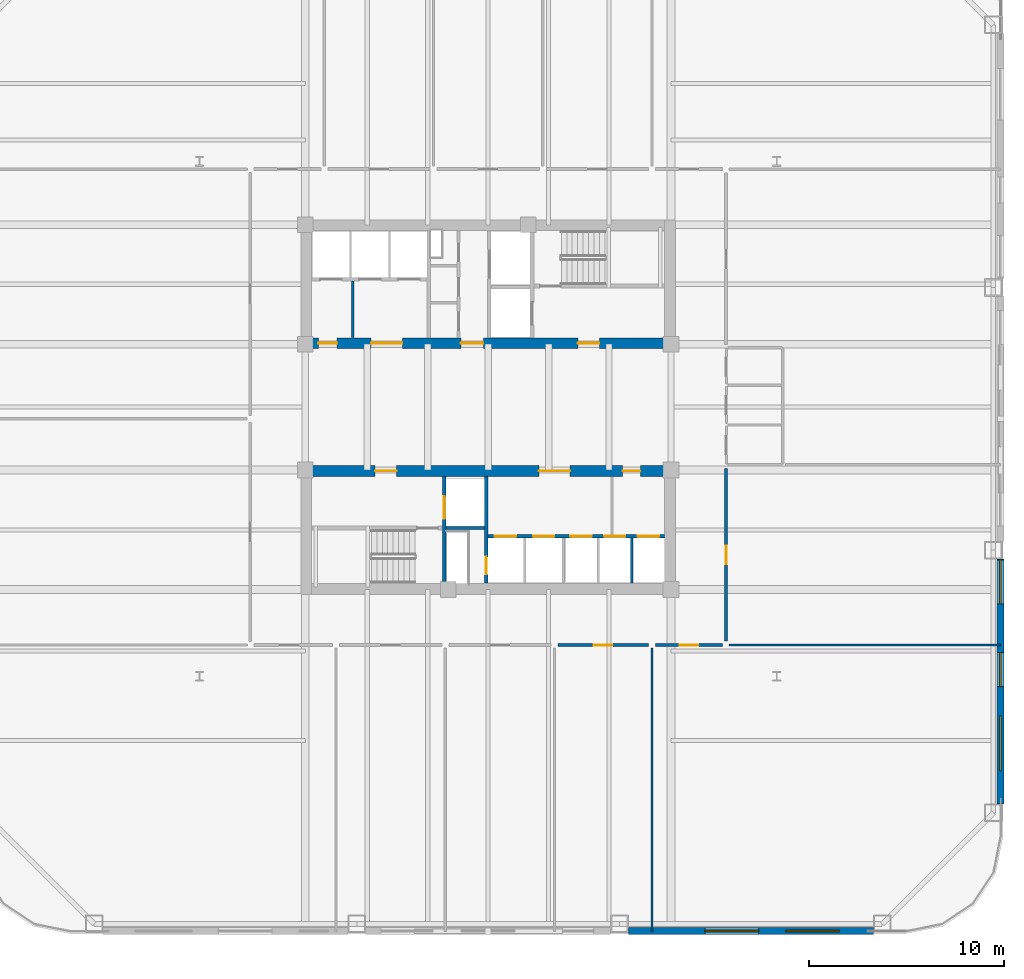
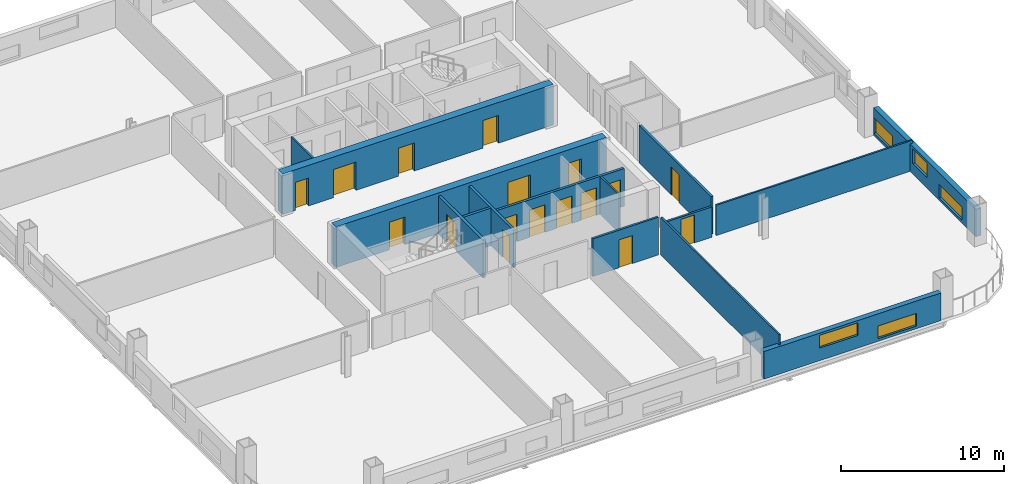
# One storey, part 3 of 12: 17 doors, 15 walls, 5 windows, 22 openings.
"""IFC4 building model written with IfcOpenShell, lengths in metres."""

from ifc_helpers import new_model, si_unit, direction, frame, frame_2d, origin, place, context, subcontext, project, spatial, rectangle, extrude, material, layer, layer_set, type_object, element, fill, save


model = new_model("IFC4")

# Units and contexts
model_context = context("Model", 3, precision=1e-05, world=origin(), true_north=direction((0.0, 1.0)))
body_context = subcontext(model_context, "Body", "Model", "MODEL_VIEW")
ifc_project = project(units=[si_unit("LENGTHUNIT", "METRE"), si_unit("AREAUNIT", "SQUARE_METRE"), si_unit("VOLUMEUNIT", "CUBIC_METRE"), si_unit("PLANEANGLEUNIT", "RADIAN"), si_unit("MASSUNIT", "GRAM", prefix="KILO")], contexts=[model_context])

# Site, building, storey
site_placement = place(None, origin())
site = spatial("IfcSite", under=ifc_project, at=site_placement, CompositionType="ELEMENT")
building_placement = place(site_placement, origin())
building = spatial("IfcBuilding", under=site, at=building_placement, Name="Qhalaya Broadcast Tower", CompositionType="ELEMENT")
storey_placement = place(building_placement, frame((0.0, 0.0, 35.25)))
storey = spatial("IfcBuildingStorey", under=building, at=storey_placement, Name="L09", CompositionType="ELEMENT", Elevation=35.25)

# Wall, opening, door
ifc_material_1 = material(Name="Gypsum Acoustic Partition")
ifc_layer_1 = layer(ifc_material_1, 0.14990234375, Name="Gypsum Acoustic Partition")
ifc_layer_set_1 = layer_set([ifc_layer_1], Name="Gypsum Acoustic Partition")
wall_type_1 = type_object("IfcWallType", Name="Corridor & Tenancy Acoustic Partition 150", PredefinedType="PARTITIONING", material=ifc_layer_set_1)
wall_1_placement = place(storey_placement, frame((3.580078125, -11.60009765625, 0.0), z_axis=(0.0, 0.0, 1.0), x_axis=(1.0, 0.0, 0.0)))
wall_1 = element("IfcWall", 1, at=wall_1_placement, inside=storey, type_object=wall_type_1, Name="L09 Partition Wall W-COR-09", PredefinedType="PARTITIONING", context=body_context, shape_type="SweptSolid", body=[
    extrude(rectangle(XDim=4.639892578125, YDim=0.14990234375, at=frame_2d((2.31982421875, 0.0))), origin(), (0.0, 0.0, 1.0), 2.830078125),
])
opening_1_placement = place(wall_1_placement, frame((1.844970703125, 0.0, 0.0)))
opening_1 = element("IfcOpeningElement", 2, at=opening_1_placement, cuts=wall_1, Name="Opening D10", PredefinedType="OPENING", context=body_context, shape_type="SweptSolid", body=[
    extrude(rectangle(XDim=0.949951171875, YDim=2.10009765625, at=frame_2d((0.47509765625, 1.050048828125))), frame((0.0, 0.0869140625, 0.0), z_axis=(0.0, -1.0, 0.0), x_axis=(1.0, 0.0, 0.0)), (0.0, 0.0, 1.0), 0.173828125),
])
ifc_material_2 = material(Name="Timber Veneer Acoustic Door", Category="wood")
door_type_1 = type_object("IfcDoorType", Name="Cellular Office & Edit Booth Door D10", OperationType="NOTDEFINED", PredefinedType="DOOR", material=ifc_material_2)
door_1_placement = place(opening_1_placement, origin())
door_1 = element("IfcDoor", 3, at=door_1_placement, inside=storey, type_object=door_type_1, Name="L09 Door D-RM09", OperationType="SINGLE_SWING_LEFT", OverallHeight=2.10009765625, OverallWidth=0.949951171875, PredefinedType="DOOR", context=body_context, shape_type="SweptSolid", body=[
    extrude(rectangle(XDim=0.949951171875, YDim=2.10009765625, at=frame_2d((0.47509765625, 1.050048828125))), frame((0.0, 0.02490234375, 0.0), z_axis=(0.0, -1.0, 0.0), x_axis=(1.0, 0.0, 0.0)), (0.0, 0.0, 1.0), 0.050048828125),
])
fill(opening_1, door_1)

wall_2_placement = place(storey_placement, frame((8.580078125, -11.60009765625, 0.0), z_axis=(0.0, 0.0, 1.0), x_axis=(1.0, 0.0, 0.0)))
wall_2 = element("IfcWall", 4, at=wall_2_placement, inside=storey, type_object=wall_type_1, Name="L09 Partition Wall W-COR-10", PredefinedType="PARTITIONING", context=body_context, shape_type="SweptSolid", body=[
    extrude(rectangle(XDim=3.43994140625, YDim=0.14990234375, at=frame_2d((1.719970703125, 0.0))), origin(), (0.0, 0.0, 1.0), 2.27392578125),
])
opening_2_placement = place(wall_2_placement, frame((1.2451171875, 0.0, 0.0)))
opening_2 = element("IfcOpeningElement", 5, at=opening_2_placement, cuts=wall_2, Name="Opening D10", PredefinedType="OPENING", context=body_context, shape_type="SweptSolid", body=[
    extrude(rectangle(XDim=0.949951171875, YDim=2.10009765625, at=frame_2d((0.47509765625, 1.050048828125))), frame((0.0, 0.0869140625, 0.0), z_axis=(0.0, -1.0, 0.0), x_axis=(1.0, 0.0, 0.0)), (0.0, 0.0, 1.0), 0.173828125),
])
door_2_placement = place(opening_2_placement, origin())
door_2 = element("IfcDoor", 6, at=door_2_placement, inside=storey, type_object=door_type_1, Name="L09 Door D-RM10", OperationType="SINGLE_SWING_RIGHT", OverallHeight=2.10009765625, OverallWidth=0.949951171875, PredefinedType="DOOR", context=body_context, shape_type="SweptSolid", body=[
    extrude(rectangle(XDim=0.949951171875, YDim=2.10009765625, at=frame_2d((0.47509765625, 1.050048828125))), frame((0.0, 0.02490234375, 0.0), z_axis=(0.0, -1.0, 0.0), x_axis=(1.0, 0.0, 0.0)), (0.0, 0.0, 1.0), 0.050048828125),
])
fill(opening_2, door_2)

wall_3_placement = place(storey_placement, frame((12.199951171875, -11.39990234375, 0.0), z_axis=(0.0, 0.0, 1.0), x_axis=(0.0, 1.0, 0.0)))
wall_3 = element("IfcWall", 7, at=wall_3_placement, inside=storey, type_object=wall_type_1, Name="L09 Partition Wall W-COR-13", PredefinedType="PARTITIONING", context=body_context, shape_type="SweptSolid", body=[
    extrude(rectangle(XDim=8.83984375, YDim=0.14990234375, at=frame_2d((4.419921875, 0.0))), origin(), (0.0, 0.0, 1.0), 2.830078125),
])
opening_3_placement = place(wall_3_placement, frame((3.945068359375, 0.0, 0.0)))
opening_3 = element("IfcOpeningElement", 8, at=opening_3_placement, cuts=wall_3, Name="Opening D10", PredefinedType="OPENING", context=body_context, shape_type="SweptSolid", body=[
    extrude(rectangle(XDim=0.949951171875, YDim=2.10009765625, at=frame_2d((0.47509765625, 1.050048828125))), frame((0.0, 0.0869140625, 0.0), z_axis=(0.0, -1.0, 0.0), x_axis=(1.0, 0.0, 0.0)), (0.0, 0.0, 1.0), 0.173828125),
])
door_3_placement = place(opening_3_placement, origin())
door_3 = element("IfcDoor", 9, at=door_3_placement, inside=storey, type_object=door_type_1, Name="L09 Door D-RM13", OperationType="SINGLE_SWING_LEFT", OverallHeight=2.10009765625, OverallWidth=0.949951171875, PredefinedType="DOOR", context=body_context, shape_type="SweptSolid", body=[
    extrude(rectangle(XDim=0.949951171875, YDim=2.10009765625, at=frame_2d((0.47509765625, 1.050048828125))), frame((0.0, 0.02490234375, 0.0), z_axis=(0.0, -1.0, 0.0), x_axis=(1.0, 0.0, 0.0)), (0.0, 0.0, 1.0), 0.050048828125),
])
fill(opening_3, door_3)

# Wall, openings, windows
ifc_material_3 = material(Name="Precast Concrete C40/50", Category="concrete")
ifc_layer_2 = layer(ifc_material_3, 0.360107421875, Name="Precast Concrete C40/50")
ifc_layer_set_2 = layer_set([ifc_layer_2], Name="Precast Concrete C40/50")
wall_type_2 = type_object("IfcWallType", Name="Insulated Precast Terracotta Exterior Wall 360", PredefinedType="SOLIDWALL", material=ifc_layer_set_2)
wall_4_placement = place(storey_placement, frame((19.761962890625, -26.260009765625, 0.0), z_axis=(0.0, 0.0, 1.0), x_axis=(-1.0, 0.0, 0.0)))
wall_4 = element("IfcWall", 10, at=wall_4_placement, inside=storey, type_object=wall_type_2, Name="L09 Exoskeleton Diagrid Infill Wall S1", PredefinedType="SOLIDWALL", context=body_context, shape_type="SweptSolid", body=[
    extrude(rectangle(XDim=12.57861328125, YDim=0.360107421875, at=frame_2d((6.289306640625, 0.0))), origin(), (0.0, 0.0, 1.0), 2.06689453125),
])
opening_4_placement = place(wall_4_placement, frame((1.75, 0.0, 0.199951171875)))
opening_4 = element("IfcOpeningElement", 11, at=opening_4_placement, cuts=wall_4, Name="Opening W11", PredefinedType="OPENING", context=body_context, shape_type="SweptSolid", body=[
    extrude(rectangle(XDim=2.75, YDim=0.949951171875, at=frame_2d((1.375, 0.47509765625))), frame((0.0, 0.192138671875, 0.0), z_axis=(0.0, -1.0, 0.0), x_axis=(1.0, 0.0, 0.0)), (0.0, 0.0, 1.0), 0.384033203125),
])
opening_5_placement = place(wall_4_placement, frame((5.89990234375, 0.0, 0.949951171875)))
opening_5 = element("IfcOpeningElement", 12, at=opening_5_placement, cuts=wall_4, Name="Opening W11", PredefinedType="OPENING", context=body_context, shape_type="SweptSolid", body=[
    extrude(rectangle(XDim=2.75, YDim=0.949951171875, at=frame_2d((1.375, 0.47509765625))), frame((0.0, 0.192138671875, 0.0), z_axis=(0.0, -1.0, 0.0), x_axis=(1.0, 0.0, 0.0)), (0.0, 0.0, 1.0), 0.384033203125),
])
ifc_material_4 = material(Name="Solar-Control Low-E Triple Glazing", Category="glass")
window_type = type_object("IfcWindowType", Name="Odd-Block Diagrid Infill Window W11", PartitioningType="SINGLE_PANEL", PredefinedType="WINDOW", material=ifc_material_4)
window_1_placement = place(opening_4_placement, origin())
window_1 = element("IfcWindow", 13, at=window_1_placement, inside=storey, type_object=window_type, Name="L09 Diagrid Infill Window W11-S1", OverallHeight=0.949951171875, OverallWidth=2.75, PartitioningType="SINGLE_PANEL", PredefinedType="WINDOW", context=body_context, shape_type="SweptSolid", body=[
    extrude(rectangle(XDim=2.75, YDim=0.949951171875, at=frame_2d((1.375, 0.47509765625))), frame((0.0, 0.030029296875, 0.0), z_axis=(0.0, -1.0, 0.0), x_axis=(1.0, 0.0, 0.0)), (0.0, 0.0, 1.0), 0.06005859375),
])
fill(opening_4, window_1)
window_2_placement = place(opening_5_placement, origin())
window_2 = element("IfcWindow", 14, at=window_2_placement, inside=storey, type_object=window_type, Name="L09 Diagrid Infill Window W11-S2", OverallHeight=0.949951171875, OverallWidth=2.75, PartitioningType="SINGLE_PANEL", PredefinedType="WINDOW", context=body_context, shape_type="SweptSolid", body=[
    extrude(rectangle(XDim=2.75, YDim=0.949951171875, at=frame_2d((1.375, 0.47509765625))), frame((0.0, 0.030029296875, 0.0), z_axis=(0.0, -1.0, 0.0), x_axis=(1.0, 0.0, 0.0)), (0.0, 0.0, 1.0), 0.06005859375),
])
fill(opening_5, window_2)

wall_5_placement = place(storey_placement, frame((26.260009765625, -7.183349609375, 0.0), z_axis=(0.0, 0.0, 1.0), x_axis=(0.0, -1.0, 0.0)))
wall_5 = element("IfcWall", 15, at=wall_5_placement, inside=storey, type_object=wall_type_2, Name="L09 Exoskeleton Diagrid Infill Wall E3", PredefinedType="SOLIDWALL", context=body_context, shape_type="SweptSolid", body=[
    extrude(rectangle(XDim=12.57861328125, YDim=0.360107421875, at=frame_2d((6.289306640625, 0.0))), origin(), (0.0, 0.0, 1.0), 2.06689453125),
])
opening_6_placement = place(wall_5_placement, frame((0.054931640625, 0.0, 0.199951171875)))
opening_6 = element("IfcOpeningElement", 16, at=opening_6_placement, cuts=wall_5, Name="Opening W11", PredefinedType="OPENING", context=body_context, shape_type="SweptSolid", body=[
    extrude(rectangle(XDim=2.25, YDim=1.14990234375, at=frame_2d((1.125, 0.574951171875))), frame((0.0, 0.192138671875, 0.0), z_axis=(0.0, -1.0, 0.0), x_axis=(1.0, 0.0, 0.0)), (0.0, 0.0, 1.0), 0.384033203125),
])
opening_7_placement = place(wall_5_placement, frame((4.804931640625, 0.0, 0.800048828125)))
opening_7 = element("IfcOpeningElement", 17, at=opening_7_placement, cuts=wall_5, Name="Opening W11", PredefinedType="OPENING", context=body_context, shape_type="SweptSolid", body=[
    extrude(rectangle(XDim=1.75, YDim=1.10009765625, at=frame_2d((0.875, 0.550048828125))), frame((0.0, 0.192138671875, 0.0), z_axis=(0.0, -1.0, 0.0), x_axis=(1.0, 0.0, 0.0)), (0.0, 0.0, 1.0), 0.384033203125),
])
opening_8_placement = place(wall_5_placement, frame((8.054931640625, 0.0, 0.199951171875)))
opening_8 = element("IfcOpeningElement", 18, at=opening_8_placement, cuts=wall_5, Name="Opening W11", PredefinedType="OPENING", context=body_context, shape_type="SweptSolid", body=[
    extrude(rectangle(XDim=2.800048828125, YDim=1.0, at=frame_2d((1.39990234375, 0.5))), frame((0.0, 0.192138671875, 0.0), z_axis=(0.0, -1.0, 0.0), x_axis=(1.0, 0.0, 0.0)), (0.0, 0.0, 1.0), 0.384033203125),
])
window_3_placement = place(opening_6_placement, origin())
window_3 = element("IfcWindow", 19, at=window_3_placement, inside=storey, type_object=window_type, Name="L09 Diagrid Infill Window W11-E7", OverallHeight=1.14990234375, OverallWidth=2.25, PartitioningType="SINGLE_PANEL", PredefinedType="WINDOW", context=body_context, shape_type="SweptSolid", body=[
    extrude(rectangle(XDim=2.25, YDim=1.14990234375, at=frame_2d((1.125, 0.574951171875))), frame((0.0, 0.030029296875, 0.0), z_axis=(0.0, -1.0, 0.0), x_axis=(1.0, 0.0, 0.0)), (0.0, 0.0, 1.0), 0.06005859375),
])
fill(opening_6, window_3)
window_4_placement = place(opening_7_placement, origin())
window_4 = element("IfcWindow", 20, at=window_4_placement, inside=storey, type_object=window_type, Name="L09 Diagrid Infill Window W11-E8", OverallHeight=1.10009765625, OverallWidth=1.75, PartitioningType="SINGLE_PANEL", PredefinedType="WINDOW", context=body_context, shape_type="SweptSolid", body=[
    extrude(rectangle(XDim=1.75, YDim=1.10009765625, at=frame_2d((0.875, 0.550048828125))), frame((0.0, 0.030029296875, 0.0), z_axis=(0.0, -1.0, 0.0), x_axis=(1.0, 0.0, 0.0)), (0.0, 0.0, 1.0), 0.06005859375),
])
fill(opening_7, window_4)
window_5_placement = place(opening_8_placement, origin())
window_5 = element("IfcWindow", 21, at=window_5_placement, inside=storey, type_object=window_type, Name="L09 Diagrid Infill Window W11-E9", OverallHeight=1.0, OverallWidth=2.800048828125, PartitioningType="SINGLE_PANEL", PredefinedType="WINDOW", context=body_context, shape_type="SweptSolid", body=[
    extrude(rectangle(XDim=2.800048828125, YDim=1.0, at=frame_2d((1.39990234375, 0.5))), frame((0.0, 0.030029296875, 0.0), z_axis=(0.0, -1.0, 0.0), x_axis=(1.0, 0.0, 0.0)), (0.0, 0.0, 1.0), 0.06005859375),
])
fill(opening_8, window_5)

# Wall, opening, door
ifc_material_5 = material(Name="Concrete C50/60", Category="concrete")
ifc_layer_3 = layer(ifc_material_5, 0.199951171875, Name="Concrete C50/60")
ifc_layer_set_3 = layer_set([ifc_layer_3], Name="Concrete C50/60")
wall_type_3 = type_object("IfcWallType", Name="Load-Bearing Stair Shaft Wall 200", PredefinedType="SHEAR", material=ifc_layer_set_3)
wall_6_placement = place(storey_placement, frame((-2.25, -8.429931640625, 0.0), z_axis=(0.0, 0.0, 1.0), x_axis=(0.0, 1.0, 0.0)))
wall_6 = element("IfcWall", 22, at=wall_6_placement, inside=storey, type_object=wall_type_3, Name="L09 Stair Core Shear Wall SCW-FF", PredefinedType="SHEAR", context=body_context, shape_type="SweptSolid", body=[
    extrude(rectangle(XDim=5.4599609375, YDim=0.199951171875, at=frame_2d((2.72998046875, 0.0))), origin(), (0.0, 0.0, 1.0), 2.830078125),
])
opening_9_placement = place(wall_6_placement, frame((3.300048828125, 0.0, 0.0)))
opening_9 = element("IfcOpeningElement", 23, at=opening_9_placement, cuts=wall_6, Name="Opening LD2", PredefinedType="OPENING", context=body_context, shape_type="SweptSolid", body=[
    extrude(rectangle(XDim=1.14990234375, YDim=2.080078125, at=frame_2d((0.574951171875, 1.0400390625))), frame((0.0, 0.112060546875, 0.0), z_axis=(0.0, -1.0, 0.0), x_axis=(1.0, 0.0, 0.0)), (0.0, 0.0, 1.0), 0.223876953125),
])
ifc_material_6 = material(Name="Brushed Stainless Steel Lift Door", Category="steel")
door_type_2 = type_object("IfcDoorType", Name="Firefighting Lift Sliding Landing Door LD2", OperationType="DOUBLE_DOOR_SLIDING", PredefinedType="DOOR", material=ifc_material_6)
door_4_placement = place(opening_9_placement, origin())
door_4 = element("IfcDoor", 24, at=door_4_placement, inside=storey, type_object=door_type_2, Name="L09 Door LD-FF2", OperationType="DOUBLE_DOOR_SLIDING", OverallHeight=2.080078125, OverallWidth=1.14990234375, PredefinedType="DOOR", context=body_context, shape_type="SweptSolid", body=[
    extrude(rectangle(XDim=1.14990234375, YDim=2.080078125, at=frame_2d((0.574951171875, 1.0400390625))), frame((0.0, 0.02490234375, 0.0), z_axis=(0.0, -1.0, 0.0), x_axis=(1.0, 0.0, 0.0)), (0.0, 0.0, 1.0), 0.050048828125),
])
fill(opening_9, door_4)

# Wall, openings, doors
ifc_material_7 = material(Name="Concrete C60/75", Category="concrete")
ifc_layer_4 = layer(ifc_material_7, 0.550048828125, Name="Concrete C60/75")
ifc_layer_set_4 = layer_set([ifc_layer_4], Name="Concrete C60/75")
wall_type_4 = type_object("IfcWallType", Name="Lower Split-Core Shear Wall 550", PredefinedType="SHEAR", material=ifc_layer_set_4)
wall_7_placement = place(storey_placement, frame((-9.60009765625, 3.875, 0.0), z_axis=(0.0, 0.0, 1.0), x_axis=(1.0, 0.0, 0.0)))
wall_7 = element("IfcWall", 25, at=wall_7_placement, inside=storey, type_object=wall_type_4, Name="L09 Split-Core Shear Wall CW-NS", PredefinedType="SHEAR", context=body_context, shape_type="SweptSolid", body=[
    extrude(rectangle(XDim=19.2001953125, YDim=0.550048828125, at=frame_2d((9.60009765625, 0.0))), origin(), (0.0, 0.0, 1.0), 3.050048828125),
])
opening_10_placement = place(wall_7_placement, frame((14.199951171875, 0.0, 0.0)))
opening_10 = element("IfcOpeningElement", 26, at=opening_10_placement, cuts=wall_7, Name="Opening D04", PredefinedType="OPENING", context=body_context, shape_type="SweptSolid", body=[
    extrude(rectangle(XDim=1.10009765625, YDim=2.080078125, at=frame_2d((0.550048828125, 1.0400390625))), frame((0.0, 0.287109375, 0.0), z_axis=(0.0, -1.0, 0.0), x_axis=(1.0, 0.0, 0.0)), (0.0, 0.0, 1.0), 0.573974609375),
])
opening_11_placement = place(wall_7_placement, frame((8.199951171875, 0.0, 0.0)))
opening_11 = element("IfcOpeningElement", 27, at=opening_11_placement, cuts=wall_7, Name="Opening D05", PredefinedType="OPENING", context=body_context, shape_type="SweptSolid", body=[
    extrude(rectangle(XDim=1.14990234375, YDim=2.10009765625, at=frame_2d((0.574951171875, 1.050048828125))), frame((0.0, 0.287109375, 0.0), z_axis=(0.0, -1.0, 0.0), x_axis=(1.0, 0.0, 0.0)), (0.0, 0.0, 1.0), 0.573974609375),
])
opening_12_placement = place(wall_7_placement, frame((0.89990234375, 0.0, 0.0)))
opening_12 = element("IfcOpeningElement", 28, at=opening_12_placement, cuts=wall_7, Name="Opening D10", PredefinedType="OPENING", context=body_context, shape_type="SweptSolid", body=[
    extrude(rectangle(XDim=0.949951171875, YDim=2.10009765625, at=frame_2d((0.47509765625, 1.050048828125))), frame((0.0, 0.287109375, 0.0), z_axis=(0.0, -1.0, 0.0), x_axis=(1.0, 0.0, 0.0)), (0.0, 0.0, 1.0), 0.573974609375),
])
opening_13_placement = place(wall_7_placement, frame((3.60009765625, 0.0, 0.0)))
opening_13 = element("IfcOpeningElement", 29, at=opening_13_placement, cuts=wall_7, Name="Opening D07", PredefinedType="OPENING", context=body_context, shape_type="SweptSolid", body=[
    extrude(rectangle(XDim=1.60009765625, YDim=2.1201171875, at=frame_2d((0.800048828125, 1.06005859375))), frame((0.0, 0.287109375, 0.0), z_axis=(0.0, -1.0, 0.0), x_axis=(1.0, 0.0, 0.0)), (0.0, 0.0, 1.0), 0.573974609375),
])
door_5_placement = place(opening_12_placement, origin())
door_5 = element("IfcDoor", 30, at=door_5_placement, inside=storey, type_object=door_type_1, Name="L09 Door D-NLPNT", OperationType="SINGLE_SWING_RIGHT", OverallHeight=2.10009765625, OverallWidth=0.949951171875, PredefinedType="DOOR", context=body_context, shape_type="SweptSolid", body=[
    extrude(rectangle(XDim=0.949951171875, YDim=2.10009765625, at=frame_2d((0.47509765625, 1.050048828125))), frame((0.0, 0.02490234375, 0.0), z_axis=(0.0, -1.0, 0.0), x_axis=(1.0, 0.0, 0.0)), (0.0, 0.0, 1.0), 0.050048828125),
])
fill(opening_12, door_5)
ifc_material_8 = material(Name="Fire-Rated Steel Door", Category="steel")
door_type_3 = type_object("IfcDoorType", Name="Firefighting Lobby Rated Door D04", OperationType="NOTDEFINED", PredefinedType="DOOR", material=ifc_material_8)
door_6_placement = place(opening_10_placement, origin())
door_6 = element("IfcDoor", 31, at=door_6_placement, inside=storey, type_object=door_type_3, Name="L09 Door D-NFF", OperationType="SINGLE_SWING_RIGHT", OverallHeight=2.080078125, OverallWidth=1.10009765625, PredefinedType="DOOR", context=body_context, shape_type="SweptSolid", body=[
    extrude(rectangle(XDim=1.10009765625, YDim=2.080078125, at=frame_2d((0.550048828125, 1.0400390625))), frame((0.0, 0.02490234375, 0.0), z_axis=(0.0, -1.0, 0.0), x_axis=(1.0, 0.0, 0.0)), (0.0, 0.0, 1.0), 0.050048828125),
])
fill(opening_10, door_6)
ifc_material_9 = material(Name="Anodised Aluminium Glazed Door", Category="aluminium")
door_type_4 = type_object("IfcDoorType", Name="Passenger Lift Lobby Double Glazed Door D07", OperationType="DOUBLE_DOOR_SINGLE_SWING", PredefinedType="DOOR", material=ifc_material_9)
door_7_placement = place(opening_13_placement, origin())
door_7 = element("IfcDoor", 32, at=door_7_placement, inside=storey, type_object=door_type_4, Name="L09 Door D-NPLL", OperationType="DOUBLE_DOOR_SINGLE_SWING", OverallHeight=2.1201171875, OverallWidth=1.60009765625, PredefinedType="DOOR", context=body_context, shape_type="SweptSolid", body=[
    extrude(rectangle(XDim=1.60009765625, YDim=2.1201171875, at=frame_2d((0.800048828125, 1.06005859375))), frame((0.0, 0.02490234375, 0.0), z_axis=(0.0, -1.0, 0.0), x_axis=(1.0, 0.0, 0.0)), (0.0, 0.0, 1.0), 0.050048828125),
])
fill(opening_13, door_7)
door_type_5 = type_object("IfcDoorType", Name="Refuge & Plant Room Fire Door D05", OperationType="NOTDEFINED", PredefinedType="DOOR", material=ifc_material_8)
door_8_placement = place(opening_11_placement, origin())
door_8 = element("IfcDoor", 33, at=door_8_placement, inside=storey, type_object=door_type_5, Name="L09 Door D-NSVL", OperationType="SINGLE_SWING_LEFT", OverallHeight=2.10009765625, OverallWidth=1.14990234375, PredefinedType="DOOR", context=body_context, shape_type="SweptSolid", body=[
    extrude(rectangle(XDim=1.14990234375, YDim=2.10009765625, at=frame_2d((0.574951171875, 1.050048828125))), frame((0.0, 0.02490234375, 0.0), z_axis=(0.0, -1.0, 0.0), x_axis=(1.0, 0.0, 0.0)), (0.0, 0.0, 1.0), 0.050048828125),
])
fill(opening_11, door_8)

wall_8_placement = place(storey_placement, frame((-9.60009765625, -2.675048828125, 0.0), z_axis=(0.0, 0.0, 1.0), x_axis=(1.0, 0.0, 0.0)))
wall_8 = element("IfcWall", 34, at=wall_8_placement, inside=storey, type_object=wall_type_4, Name="L09 Split-Core Shear Wall CW-SN", PredefinedType="SHEAR", context=body_context, shape_type="SweptSolid", body=[
    extrude(rectangle(XDim=19.2001953125, YDim=0.550048828125, at=frame_2d((9.60009765625, 0.0))), origin(), (0.0, 0.0, 1.0), 3.050048828125),
])
opening_14_placement = place(wall_8_placement, frame((3.800048828125, 0.0, 0.0)))
opening_14 = element("IfcOpeningElement", 35, at=opening_14_placement, cuts=wall_8, Name="Opening D04", PredefinedType="OPENING", context=body_context, shape_type="SweptSolid", body=[
    extrude(rectangle(XDim=1.10009765625, YDim=2.080078125, at=frame_2d((0.550048828125, 1.0400390625))), frame((0.0, 0.287109375, 0.0), z_axis=(0.0, -1.0, 0.0), x_axis=(1.0, 0.0, 0.0)), (0.0, 0.0, 1.0), 0.573974609375),
])
opening_15_placement = place(wall_8_placement, frame((12.199951171875, 0.0, 0.0)))
opening_15 = element("IfcOpeningElement", 36, at=opening_15_placement, cuts=wall_8, Name="Opening D07", PredefinedType="OPENING", context=body_context, shape_type="SweptSolid", body=[
    extrude(rectangle(XDim=1.60009765625, YDim=2.1201171875, at=frame_2d((0.800048828125, 1.06005859375))), frame((0.0, 0.287109375, 0.0), z_axis=(0.0, -1.0, 0.0), x_axis=(1.0, 0.0, 0.0)), (0.0, 0.0, 1.0), 0.573974609375),
])
opening_16_placement = place(wall_8_placement, frame((16.5, 0.0, 0.0)))
opening_16 = element("IfcOpeningElement", 37, at=opening_16_placement, cuts=wall_8, Name="Opening D06", PredefinedType="OPENING", context=body_context, shape_type="SweptSolid", body=[
    extrude(rectangle(XDim=0.89990234375, YDim=2.050048828125, at=frame_2d((0.449951171875, 1.02490234375))), frame((0.0, 0.287109375, 0.0), z_axis=(0.0, -1.0, 0.0), x_axis=(1.0, 0.0, 0.0)), (0.0, 0.0, 1.0), 0.573974609375),
])
door_9_placement = place(opening_14_placement, origin())
door_9 = element("IfcDoor", 38, at=door_9_placement, inside=storey, type_object=door_type_3, Name="L09 Door D-SFF", OperationType="SINGLE_SWING_LEFT", OverallHeight=2.080078125, OverallWidth=1.10009765625, PredefinedType="DOOR", context=body_context, shape_type="SweptSolid", body=[
    extrude(rectangle(XDim=1.10009765625, YDim=2.080078125, at=frame_2d((0.550048828125, 1.0400390625))), frame((0.0, 0.02490234375, 0.0), z_axis=(0.0, -1.0, 0.0), x_axis=(1.0, 0.0, 0.0)), (0.0, 0.0, 1.0), 0.050048828125),
])
fill(opening_14, door_9)
door_10_placement = place(opening_15_placement, origin())
door_10 = element("IfcDoor", 39, at=door_10_placement, inside=storey, type_object=door_type_4, Name="L09 Door D-SPLL", OperationType="DOUBLE_DOOR_SINGLE_SWING", OverallHeight=2.1201171875, OverallWidth=1.60009765625, PredefinedType="DOOR", context=body_context, shape_type="SweptSolid", body=[
    extrude(rectangle(XDim=1.60009765625, YDim=2.1201171875, at=frame_2d((0.800048828125, 1.06005859375))), frame((0.0, 0.02490234375, 0.0), z_axis=(0.0, -1.0, 0.0), x_axis=(1.0, 0.0, 0.0)), (0.0, 0.0, 1.0), 0.050048828125),
])
fill(opening_15, door_10)
door_type_6 = type_object("IfcDoorType", Name="Riser & Electrical Shaft Access Door D06", OperationType="NOTDEFINED", PredefinedType="DOOR", material=ifc_material_8)
door_11_placement = place(opening_16_placement, origin())
door_11 = element("IfcDoor", 40, at=door_11_placement, inside=storey, type_object=door_type_6, Name="L09 Door D-SSCST", OperationType="SINGLE_SWING_LEFT", OverallHeight=2.050048828125, OverallWidth=0.89990234375, PredefinedType="DOOR", context=body_context, shape_type="SweptSolid", body=[
    extrude(rectangle(XDim=0.89990234375, YDim=2.050048828125, at=frame_2d((0.449951171875, 1.02490234375))), frame((0.0, 0.02490234375, 0.0), z_axis=(0.0, -1.0, 0.0), x_axis=(1.0, 0.0, 0.0)), (0.0, 0.0, 1.0), 0.050048828125),
])
fill(opening_16, door_11)

# Walls
ifc_layer_5 = layer(ifc_material_1, 0.1201171875, Name="Gypsum Acoustic Partition")
ifc_layer_set_5 = layer_set([ifc_layer_5], Name="Gypsum Acoustic Partition")
wall_type_5 = type_object("IfcWallType", Name="Office, Booth & Sanitary Partition 120", PredefinedType="PARTITIONING", material=ifc_layer_set_5)
wall_9_placement = place(storey_placement, frame((-6.949951171875, 4.169921875, 0.0), z_axis=(0.0, 0.0, 1.0), x_axis=(0.0, 1.0, 0.0)))
element("IfcWall", 41, at=wall_9_placement, inside=storey, type_object=wall_type_5, Name="L09 Partition Wall NCW-LKB", PredefinedType="PARTITIONING", context=body_context, shape_type="SweptSolid", body=[
    extrude(rectangle(XDim=2.89013671875, YDim=0.1201171875, at=frame_2d((1.445068359375, 0.0))), origin(), (0.0, 0.0, 1.0), 2.830078125),
])
wall_10_placement = place(storey_placement, frame((7.360107421875, -8.429931640625, 0.0), z_axis=(0.0, 0.0, 1.0), x_axis=(0.0, 1.0, 0.0)))
element("IfcWall", 42, at=wall_10_placement, inside=storey, type_object=wall_type_5, Name="L09 Partition Wall SCW-HD7", PredefinedType="PARTITIONING", context=body_context, shape_type="SweptSolid", body=[
    extrude(rectangle(XDim=2.329833984375, YDim=0.1201171875, at=frame_2d((1.1650390625, 0.0))), origin(), (0.0, 0.0, 1.0), 2.830078125),
])
wall_11_placement = place(storey_placement, frame((12.340087890625, -11.60009765625, 0.0), z_axis=(0.0, 0.0, 1.0), x_axis=(1.0, 0.0, 0.0)))
element("IfcWall", 43, at=wall_11_placement, inside=storey, type_object=wall_type_5, Name="L09 Partition Wall W-BNDE2", PredefinedType="PARTITIONING", context=body_context, shape_type="SweptSolid", body=[
    extrude(rectangle(XDim=13.93994140625, YDim=0.1201171875, at=frame_2d((6.969970703125, 0.0))), origin(), (0.0, 0.0, 1.0), 2.27392578125),
])
wall_12_placement = place(storey_placement, frame((8.39990234375, -26.280029296875, 0.0), z_axis=(0.0, 0.0, 1.0), x_axis=(0.0, 1.0, 0.0)))
element("IfcWall", 44, at=wall_12_placement, inside=storey, type_object=wall_type_5, Name="L09 Partition Wall W-DIVS4", PredefinedType="PARTITIONING", context=body_context, shape_type="SweptSolid", body=[
    extrude(rectangle(XDim=14.52001953125, YDim=0.1201171875, at=frame_2d((7.260009765625, 0.0))), origin(), (0.0, 0.0, 1.0), 2.830078125),
])

# Wall, opening, door
ifc_layer_6 = layer(ifc_material_1, 0.175048828125, Name="Gypsum Acoustic Partition")
ifc_layer_set_6 = layer_set([ifc_layer_6], Name="Gypsum Acoustic Partition")
wall_type_6 = type_object("IfcWallType", Name="Shaft & Riser Fire Partition 175", PredefinedType="PARTITIONING", material=ifc_layer_set_6)
wall_13_placement = place(storey_placement, frame((-0.10009765625, -8.429931640625, 0.0), z_axis=(0.0, 0.0, 1.0), x_axis=(0.0, 1.0, 0.0)))
wall_13 = element("IfcWall", 45, at=wall_13_placement, inside=storey, type_object=wall_type_6, Name="L09 Partition Wall SCW-FFE", PredefinedType="PARTITIONING", context=body_context, shape_type="SweptSolid", body=[
    extrude(rectangle(XDim=5.4599609375, YDim=0.175048828125, at=frame_2d((2.72998046875, 0.0))), origin(), (0.0, 0.0, 1.0), 2.830078125),
])
opening_17_placement = place(wall_13_placement, frame((0.449951171875, 0.0, 0.0)))
opening_17 = element("IfcOpeningElement", 46, at=opening_17_placement, cuts=wall_13, Name="Opening D06", PredefinedType="OPENING", context=body_context, shape_type="SweptSolid", body=[
    extrude(rectangle(XDim=0.89990234375, YDim=2.050048828125, at=frame_2d((0.449951171875, 1.02490234375))), frame((0.0, 0.099609375, 0.0), z_axis=(0.0, -1.0, 0.0), x_axis=(1.0, 0.0, 0.0)), (0.0, 0.0, 1.0), 0.198974609375),
])
door_12_placement = place(opening_17_placement, origin())
door_12 = element("IfcDoor", 47, at=door_12_placement, inside=storey, type_object=door_type_6, Name="L09 Riser Shaft Access Door D-SRSR", OperationType="SINGLE_SWING_LEFT", OverallHeight=2.050048828125, OverallWidth=0.89990234375, PredefinedType="DOOR", context=body_context, shape_type="SweptSolid", body=[
    extrude(rectangle(XDim=0.89990234375, YDim=2.050048828125, at=frame_2d((0.449951171875, 1.02490234375))), frame((0.0, 0.02490234375, 0.0), z_axis=(0.0, -1.0, 0.0), x_axis=(1.0, 0.0, 0.0)), (0.0, 0.0, 1.0), 0.050048828125),
])
fill(opening_17, door_12)

# Wall
wall_14_placement = place(storey_placement, frame((-2.14990234375, -5.60009765625, 0.0), z_axis=(0.0, 0.0, 1.0), x_axis=(1.0, 0.0, 0.0)))
element("IfcWall", 48, at=wall_14_placement, inside=storey, type_object=wall_type_6, Name="L09 Partition Wall SCW-FFM", PredefinedType="PARTITIONING", context=body_context, shape_type="SweptSolid", body=[
    extrude(rectangle(XDim=1.969970703125, YDim=0.175048828125, at=frame_2d((0.98486328125, 0.0))), origin(), (0.0, 0.0, 1.0), 2.830078125),
])

# Wall, openings, doors
wall_15_placement = place(storey_placement, frame((0.0, -6.02001953125, 0.0), z_axis=(0.0, 0.0, 1.0), x_axis=(1.0, 0.0, 0.0)))
wall_15 = element("IfcWall", 49, at=wall_15_placement, inside=storey, type_object=wall_type_6, Name="L09 Partition Wall SCW-SLB", PredefinedType="PARTITIONING", context=body_context, shape_type="SweptSolid", body=[
    extrude(rectangle(XDim=9.030029296875, YDim=0.175048828125, at=frame_2d((4.51513671875, 0.0))), origin(), (0.0, 0.0, 1.0), 2.830078125),
])
opening_18_placement = place(wall_15_placement, frame((0.330078125, 0.0, 0.0)))
opening_18 = element("IfcOpeningElement", 50, at=opening_18_placement, cuts=wall_15, Name="Opening LD1", PredefinedType="OPENING", context=body_context, shape_type="SweptSolid", body=[
    extrude(rectangle(XDim=1.10009765625, YDim=2.06005859375, at=frame_2d((0.550048828125, 1.030029296875))), frame((0.0, 0.099609375, 0.0), z_axis=(0.0, -1.0, 0.0), x_axis=(1.0, 0.0, 0.0)), (0.0, 0.0, 1.0), 0.198974609375),
])
opening_19_placement = place(wall_15_placement, frame((2.300048828125, 0.0, 0.0)))
opening_19 = element("IfcOpeningElement", 51, at=opening_19_placement, cuts=wall_15, Name="Opening LD1", PredefinedType="OPENING", context=body_context, shape_type="SweptSolid", body=[
    extrude(rectangle(XDim=1.10009765625, YDim=2.06005859375, at=frame_2d((0.550048828125, 1.030029296875))), frame((0.0, 0.099609375, 0.0), z_axis=(0.0, -1.0, 0.0), x_axis=(1.0, 0.0, 0.0)), (0.0, 0.0, 1.0), 0.198974609375),
])
opening_20_placement = place(wall_15_placement, frame((4.219970703125, 0.0, 0.0)))
opening_20 = element("IfcOpeningElement", 52, at=opening_20_placement, cuts=wall_15, Name="Opening LD1", PredefinedType="OPENING", context=body_context, shape_type="SweptSolid", body=[
    extrude(rectangle(XDim=1.10009765625, YDim=2.06005859375, at=frame_2d((0.550048828125, 1.030029296875))), frame((0.0, 0.099609375, 0.0), z_axis=(0.0, -1.0, 0.0), x_axis=(1.0, 0.0, 0.0)), (0.0, 0.0, 1.0), 0.198974609375),
])
opening_21_placement = place(wall_15_placement, frame((5.93994140625, 0.0, 0.0)))
opening_21 = element("IfcOpeningElement", 53, at=opening_21_placement, cuts=wall_15, Name="Opening LD1", PredefinedType="OPENING", context=body_context, shape_type="SweptSolid", body=[
    extrude(rectangle(XDim=1.10009765625, YDim=2.06005859375, at=frame_2d((0.550048828125, 1.030029296875))), frame((0.0, 0.099609375, 0.0), z_axis=(0.0, -1.0, 0.0), x_axis=(1.0, 0.0, 0.0)), (0.0, 0.0, 1.0), 0.198974609375),
])
opening_22_placement = place(wall_15_placement, frame((7.659912109375, 0.0, 0.0)))
opening_22 = element("IfcOpeningElement", 54, at=opening_22_placement, cuts=wall_15, Name="Opening LD1", PredefinedType="OPENING", context=body_context, shape_type="SweptSolid", body=[
    extrude(rectangle(XDim=1.10009765625, YDim=2.06005859375, at=frame_2d((0.550048828125, 1.030029296875))), frame((0.0, 0.099609375, 0.0), z_axis=(0.0, -1.0, 0.0), x_axis=(1.0, 0.0, 0.0)), (0.0, 0.0, 1.0), 0.198974609375),
])
door_type_7 = type_object("IfcDoorType", Name="Passenger Lift Sliding Landing Door LD1", OperationType="DOUBLE_DOOR_SLIDING", PredefinedType="DOOR", material=ifc_material_6)
door_13_placement = place(opening_18_placement, origin())
door_13 = element("IfcDoor", 55, at=door_13_placement, inside=storey, type_object=door_type_7, Name="L09 Door LD-P4", OperationType="DOUBLE_DOOR_SLIDING", OverallHeight=2.06005859375, OverallWidth=1.10009765625, PredefinedType="DOOR", context=body_context, shape_type="SweptSolid", body=[
    extrude(rectangle(XDim=1.10009765625, YDim=2.06005859375, at=frame_2d((0.550048828125, 1.030029296875))), frame((0.0, 0.02490234375, 0.0), z_axis=(0.0, -1.0, 0.0), x_axis=(1.0, 0.0, 0.0)), (0.0, 0.0, 1.0), 0.050048828125),
])
fill(opening_18, door_13)
door_14_placement = place(opening_19_placement, origin())
door_14 = element("IfcDoor", 56, at=door_14_placement, inside=storey, type_object=door_type_7, Name="L09 Door LD-P5", OperationType="DOUBLE_DOOR_SLIDING", OverallHeight=2.06005859375, OverallWidth=1.10009765625, PredefinedType="DOOR", context=body_context, shape_type="SweptSolid", body=[
    extrude(rectangle(XDim=1.10009765625, YDim=2.06005859375, at=frame_2d((0.550048828125, 1.030029296875))), frame((0.0, 0.02490234375, 0.0), z_axis=(0.0, -1.0, 0.0), x_axis=(1.0, 0.0, 0.0)), (0.0, 0.0, 1.0), 0.050048828125),
])
fill(opening_19, door_14)
door_15_placement = place(opening_20_placement, origin())
door_15 = element("IfcDoor", 57, at=door_15_placement, inside=storey, type_object=door_type_7, Name="L09 Door LD-P6", OperationType="DOUBLE_DOOR_SLIDING", OverallHeight=2.06005859375, OverallWidth=1.10009765625, PredefinedType="DOOR", context=body_context, shape_type="SweptSolid", body=[
    extrude(rectangle(XDim=1.10009765625, YDim=2.06005859375, at=frame_2d((0.550048828125, 1.030029296875))), frame((0.0, 0.02490234375, 0.0), z_axis=(0.0, -1.0, 0.0), x_axis=(1.0, 0.0, 0.0)), (0.0, 0.0, 1.0), 0.050048828125),
])
fill(opening_20, door_15)
door_16_placement = place(opening_21_placement, origin())
door_16 = element("IfcDoor", 58, at=door_16_placement, inside=storey, type_object=door_type_7, Name="L09 Door LD-P7", OperationType="DOUBLE_DOOR_SLIDING", OverallHeight=2.06005859375, OverallWidth=1.10009765625, PredefinedType="DOOR", context=body_context, shape_type="SweptSolid", body=[
    extrude(rectangle(XDim=1.10009765625, YDim=2.06005859375, at=frame_2d((0.550048828125, 1.030029296875))), frame((0.0, 0.02490234375, 0.0), z_axis=(0.0, -1.0, 0.0), x_axis=(1.0, 0.0, 0.0)), (0.0, 0.0, 1.0), 0.050048828125),
])
fill(opening_21, door_16)
door_17_placement = place(opening_22_placement, origin())
door_17 = element("IfcDoor", 59, at=door_17_placement, inside=storey, type_object=door_type_7, Name="L09 Door LD-P8", OperationType="DOUBLE_DOOR_SLIDING", OverallHeight=2.06005859375, OverallWidth=1.10009765625, PredefinedType="DOOR", context=body_context, shape_type="SweptSolid", body=[
    extrude(rectangle(XDim=1.10009765625, YDim=2.06005859375, at=frame_2d((0.550048828125, 1.030029296875))), frame((0.0, 0.02490234375, 0.0), z_axis=(0.0, -1.0, 0.0), x_axis=(1.0, 0.0, 0.0)), (0.0, 0.0, 1.0), 0.050048828125),
])
fill(opening_22, door_17)

save(model, "model.ifc")
